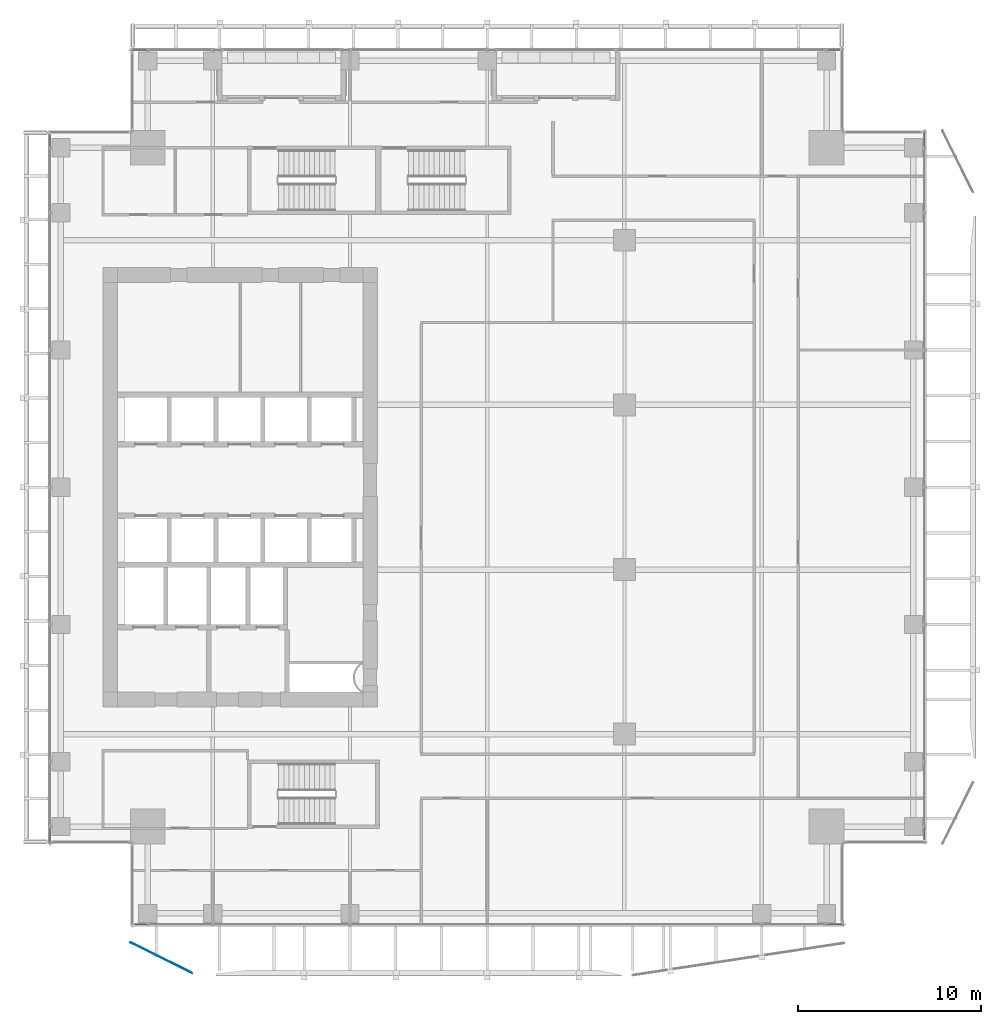
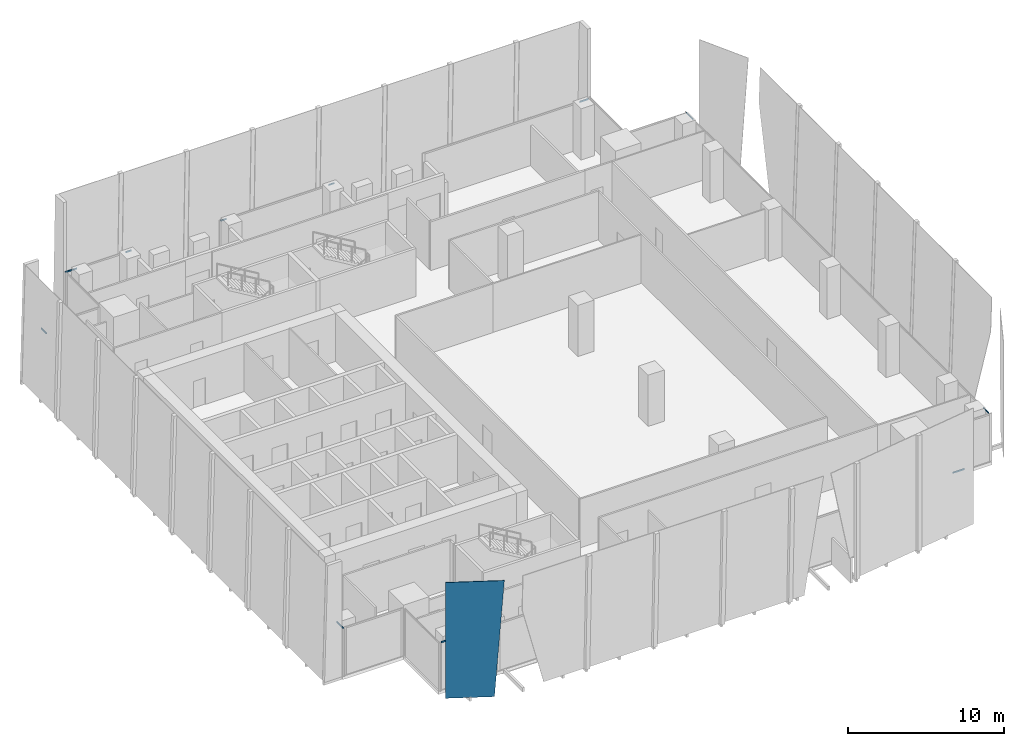
# One storey, part 22 of 35: 11 members, 1 plate, 6 elements without a shape of their own.
"""IFC4 building model written with IfcOpenShell, lengths in metres."""

from ifc_helpers import new_model, si_unit, direction, frame, origin, origin_2d, place, context, subcontext, project, spatial, polyline, hollow_rectangle, outline, extrude, source, transform, mapped, material, layer, layer_set, material_profile, profile_set, type_object, element, aggregate, save


model = new_model("IFC4")

# Units and contexts
model_context = context("Model", 3, precision=1e-05, world=origin(), true_north=direction((0.0, 1.0)))
body_context = subcontext(model_context, "Body", "Model", "MODEL_VIEW")
ifc_project = project(units=[si_unit("LENGTHUNIT", "METRE"), si_unit("AREAUNIT", "SQUARE_METRE"), si_unit("VOLUMEUNIT", "CUBIC_METRE"), si_unit("PLANEANGLEUNIT", "RADIAN"), si_unit("MASSUNIT", "GRAM", prefix="KILO")], contexts=[model_context])

# Site, building, storey
site_placement = place(None, origin())
site = spatial("IfcSite", under=ifc_project, at=site_placement, CompositionType="ELEMENT")
building_placement = place(site_placement, origin())
building = spatial("IfcBuilding", under=site, at=building_placement, Name="Khomas Fold Tower", CompositionType="ELEMENT")
storey_placement = place(building_placement, frame((0.0, 0.0, 212.699951171875)))
storey = spatial("IfcBuildingStorey", under=building, at=storey_placement, Name="L47", CompositionType="ELEMENT", Elevation=212.699951171875)

# Curtain wall, member
ifc_material_1 = material(Name="Aluminium framed double glazing", Category="aluminium")
curtain_wall_type = type_object("IfcCurtainWallType", Name="SK-Unitised clear-glass wall, office floors CW2", PredefinedType="NOTDEFINED", material=ifc_material_1)
curtain_wall_1_placement = place(storey_placement, origin())
curtain_wall_1 = element("IfcCurtainWall", 1, at=curtain_wall_1_placement, inside=storey, type_object=curtain_wall_type, Name="CW2 run L47 00-0", PredefinedType="NOTDEFINED")
ifc_material_2 = material(Name="Aluminium", Category="aluminium")
ifc_material_profile = material_profile(ifc_material_2, hollow_rectangle(XDim=0.050048828125, YDim=0.110107421875, WallThickness=0.00390625, at=origin_2d()), Name="SK-Unitised clear-glass wall, office floors transom CW2-T")
ifc_profile_set = profile_set([ifc_material_profile], Name="Aluminium")
member_type = type_object("IfcMemberType", Name="SK-Unitised clear-glass wall, office floors transom CW2-T", PredefinedType="USERDEFINED", material=ifc_profile_set)
shared_shape_1 = source(origin(), body_context, "Body", "SweptSolid", [
    extrude(hollow_rectangle(XDim=0.050048828125, YDim=0.110107421875, WallThickness=0.00390625, at=origin_2d()), origin(), (0.0, 0.0, 1.0), 0.659912109375),
])
member_1_placement = place(storey_placement, frame((7.760009765625, 3.10009765625, 3.695068359375), z_axis=(1.0, 0.0, 0.0), x_axis=(0.0, 1.0, 0.0)))
member_1 = element("IfcMember", 2, at=member_1_placement, type_object=member_type, Name="CW2 transom 1", ObjectType="TRANSOM", PredefinedType="USERDEFINED", context=body_context, shape_type="MappedRepresentation", body=[
    mapped(shared_shape_1, transform((0.0, 0.0, 0.0))),
])

curtain_wall_2_placement = place(storey_placement, origin())
curtain_wall_2 = element("IfcCurtainWall", 3, at=curtain_wall_2_placement, inside=storey, type_object=curtain_wall_type, Name="CW2 run L47 03-0", PredefinedType="NOTDEFINED")
member_2_placement = place(storey_placement, frame((50.89990234375, 7.760009765625, 3.695068359375), z_axis=(0.0, 1.0, 0.0), x_axis=(-1.0, 0.0, 0.0)))
member_2 = element("IfcMember", 4, at=member_2_placement, type_object=member_type, Name="CW2 transom 1", ObjectType="TRANSOM", PredefinedType="USERDEFINED", context=body_context, shape_type="MappedRepresentation", body=[
    mapped(shared_shape_1, transform((0.0, 0.0, 0.0))),
])

curtain_wall_3_placement = place(storey_placement, origin())
curtain_wall_3 = element("IfcCurtainWall", 5, at=curtain_wall_3_placement, inside=storey, type_object=curtain_wall_type, Name="CW2 run L47 06-0", PredefinedType="NOTDEFINED")
member_3_placement = place(storey_placement, frame((46.239990234375, 50.89990234375, 3.695068359375), z_axis=(-1.0, 0.0, 0.0), x_axis=(0.0, -1.0, 0.0)))
member_3 = element("IfcMember", 6, at=member_3_placement, type_object=member_type, Name="CW2 transom 1", ObjectType="TRANSOM", PredefinedType="USERDEFINED", context=body_context, shape_type="MappedRepresentation", body=[
    mapped(shared_shape_1, transform((0.0, 0.0, 0.0))),
])
aggregate(curtain_wall_3, [member_3])

curtain_wall_4_placement = place(storey_placement, origin())
curtain_wall_4 = element("IfcCurtainWall", 7, at=curtain_wall_4_placement, inside=storey, type_object=curtain_wall_type, Name="CW2 run L47 09-0", PredefinedType="NOTDEFINED")
member_4_placement = place(storey_placement, frame((3.10009765625, 46.239990234375, 3.695068359375), z_axis=(0.0, -1.0, 0.0), x_axis=(1.0, 0.0, 0.0)))
member_4 = element("IfcMember", 8, at=member_4_placement, type_object=member_type, Name="CW2 transom 1", ObjectType="TRANSOM", PredefinedType="USERDEFINED", context=body_context, shape_type="MappedRepresentation", body=[
    mapped(shared_shape_1, transform((0.0, 0.0, 0.0))),
])

# Curtain wall, members
curtain_wall_5_placement = place(storey_placement, origin())
curtain_wall_5 = element("IfcCurtainWall", 9, at=curtain_wall_5_placement, inside=storey, type_object=curtain_wall_type, Name="CW2 run L47 06-1", PredefinedType="NOTDEFINED")
shared_shape_2 = source(origin(), body_context, "Body", "SweptSolid", [
    extrude(hollow_rectangle(XDim=0.050048828125, YDim=0.110107421875, WallThickness=0.00390625, at=origin_2d()), origin(), (0.0, 0.0, 1.0), 0.409912109375),
])
member_5_placement = place(storey_placement, frame((27.43994140625, 50.89990234375, 3.695068359375), z_axis=(-1.0, 0.0, 0.0), x_axis=(0.0, -1.0, 0.0)))
member_5 = element("IfcMember", 10, at=member_5_placement, type_object=member_type, Name="CW2 transom 1", ObjectType="TRANSOM", PredefinedType="USERDEFINED", context=body_context, shape_type="MappedRepresentation", body=[
    mapped(shared_shape_2, transform((0.0, 0.0, 0.0))),
])
member_6_placement = place(storey_placement, frame((19.469970703125, 50.89990234375, 3.695068359375), z_axis=(-1.0, 0.0, 0.0), x_axis=(0.0, -1.0, 0.0)))
member_6 = element("IfcMember", 11, at=member_6_placement, type_object=member_type, Name="CW2 transom 3", ObjectType="TRANSOM", PredefinedType="USERDEFINED", context=body_context, shape_type="MappedRepresentation", body=[
    mapped(shared_shape_2, transform((0.0, 0.0, 0.0))),
])
aggregate(curtain_wall_5, [member_5, member_6])

# Curtain wall, member
curtain_wall_6_placement = place(storey_placement, origin())
curtain_wall_6 = element("IfcCurtainWall", 12, at=curtain_wall_6_placement, inside=storey, type_object=curtain_wall_type, Name="CW2 run L47 06-2", PredefinedType="NOTDEFINED")
member_7_placement = place(storey_placement, frame((12.43994140625, 50.89990234375, 3.695068359375), z_axis=(-1.0, 0.0, 0.0), x_axis=(0.0, -1.0, 0.0)))
member_7 = element("IfcMember", 13, at=member_7_placement, type_object=member_type, Name="CW2 transom 1", ObjectType="TRANSOM", PredefinedType="USERDEFINED", context=body_context, shape_type="MappedRepresentation", body=[
    mapped(shared_shape_2, transform((0.0, 0.0, 0.0))),
])

# Member
shared_shape_3 = source(origin(), body_context, "Body", "SweptSolid", [
    extrude(hollow_rectangle(XDim=0.050048828125, YDim=0.110107421875, WallThickness=0.00390625, at=origin_2d()), origin(), (0.0, 0.0, 1.0), 0.85986328125),
])
member_8_placement = place(storey_placement, frame((45.580078125, 3.10009765625, 3.695068359375), z_axis=(1.0, 0.0, 0.0), x_axis=(0.0, 1.0, 0.0)))
member_8 = element("IfcMember", 14, at=member_8_placement, type_object=member_type, Name="CW2 transom 6", ObjectType="TRANSOM", PredefinedType="USERDEFINED", context=body_context, shape_type="MappedRepresentation", body=[
    mapped(shared_shape_3, transform((0.0, 0.0, 0.0))),
])

aggregate(curtain_wall_1, [member_1, member_8])

member_9_placement = place(storey_placement, frame((50.89990234375, 45.580078125, 3.695068359375), z_axis=(0.0, 1.0, 0.0), x_axis=(-1.0, 0.0, 0.0)))
member_9 = element("IfcMember", 15, at=member_9_placement, type_object=member_type, Name="CW2 transom 8", ObjectType="TRANSOM", PredefinedType="USERDEFINED", context=body_context, shape_type="MappedRepresentation", body=[
    mapped(shared_shape_3, transform((0.0, 0.0, 0.0))),
])

aggregate(curtain_wall_2, [member_2, member_9])

member_10_placement = place(storey_placement, frame((8.419921875, 50.89990234375, 3.695068359375), z_axis=(-1.0, 0.0, 0.0), x_axis=(0.0, -1.0, 0.0)))
member_10 = element("IfcMember", 16, at=member_10_placement, type_object=member_type, Name="CW2 transom 3", ObjectType="TRANSOM", PredefinedType="USERDEFINED", context=body_context, shape_type="MappedRepresentation", body=[
    mapped(shared_shape_3, transform((0.0, 0.0, 0.0))),
])

aggregate(curtain_wall_6, [member_7, member_10])

member_11_placement = place(storey_placement, frame((3.10009765625, 8.419921875, 3.695068359375), z_axis=(0.0, -1.0, 0.0), x_axis=(1.0, 0.0, 0.0)))
member_11 = element("IfcMember", 17, at=member_11_placement, type_object=member_type, Name="CW2 transom 8", ObjectType="TRANSOM", PredefinedType="USERDEFINED", context=body_context, shape_type="MappedRepresentation", body=[
    mapped(shared_shape_3, transform((0.0, 0.0, 0.0))),
])

aggregate(curtain_wall_4, [member_4, member_11])

# Plate
ifc_material_3 = material(Name="Clear laminated glass", Category="glass")
ifc_layer = layer(ifc_material_3, 0.0400390625)
ifc_layer_set = layer_set([ifc_layer], Name="Clear laminated glass")
plate_type = type_object("IfcPlateType", Name="SK-Clear laminated glass leaf", PredefinedType="SHEET", material=ifc_layer_set)
plate_placement = place(storey_placement, frame((10.304931640625, 0.697509765625, 0.0), z_axis=(-0.447241879348, -0.894413048516, 1.106367e-06), x_axis=(-0.894413048517, 0.447241879348, 4e-12)))
element("IfcPlate", 18, at=plate_placement, inside=storey, type_object=plate_type, Name="OUTER SKIN glass L47 SG099-1", PredefinedType="SHEET", context=body_context, shape_type="SweptSolid", body=[
    extrude(outline(polyline([(0.0, 0.0), (3.1360635037267484, 2.117582368135751e-22), (3.136063503758716, -9.050048828119461), (-0.633261438591776, -9.050048828143854), (0.0, 0.0)])), origin(), (0.0, 0.0, -1.0), 0.0400390625),
])

save(model, "model.ifc")
